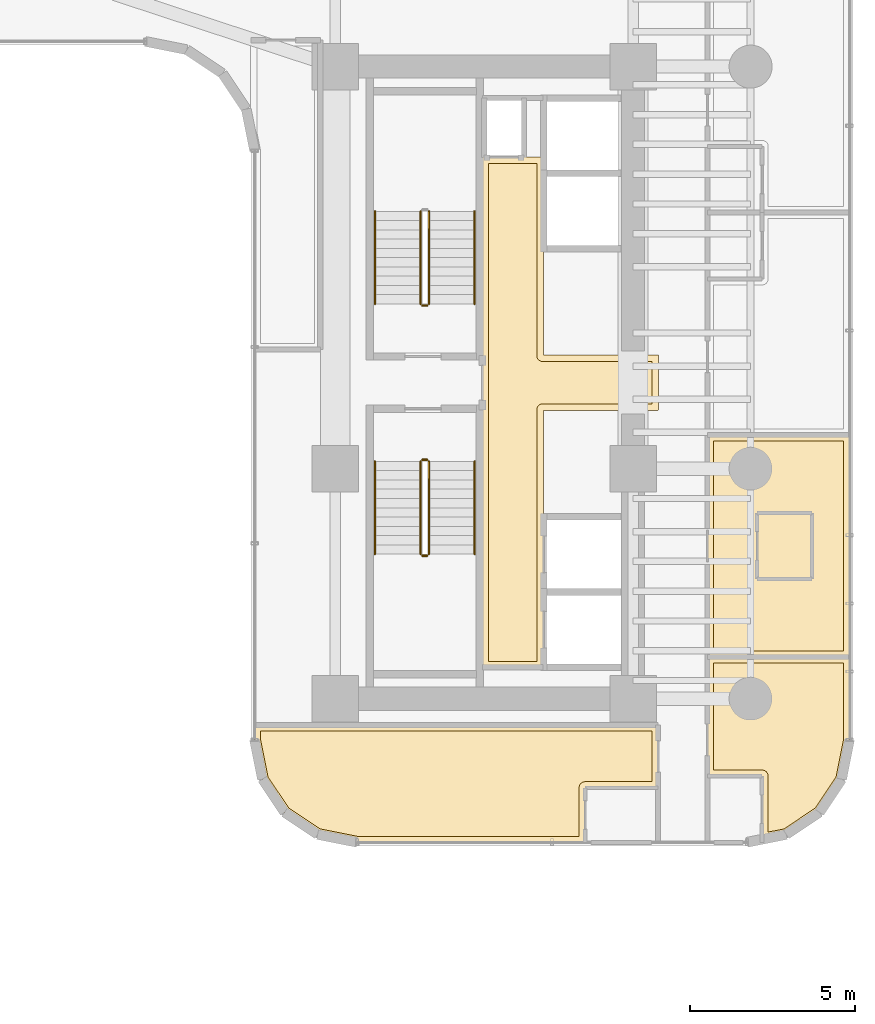
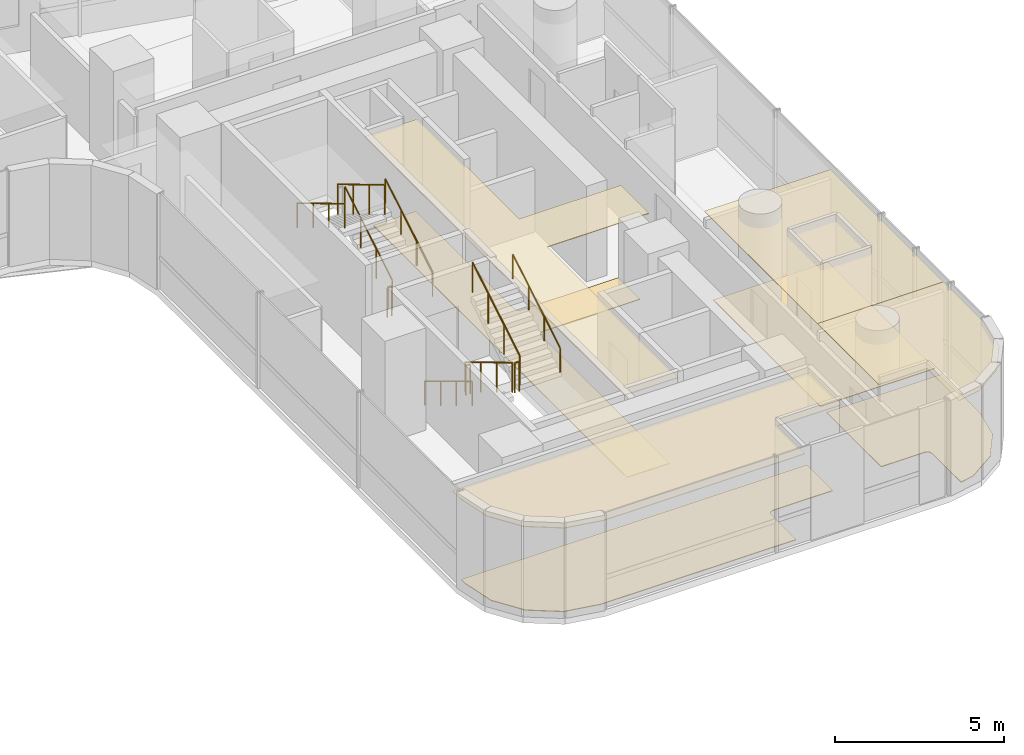
# One storey, part 39 of 41: 11 railings, 8 coverings.
"""IFC4 building model written with IfcOpenShell, lengths in metres."""

import ifcopenshell
import ifcopenshell.guid

model = None  # the IFC model being written
_history = None  # IfcOwnerHistory: only IFC2X3 demands one
_inside = {}  # id of a spatial element -> (the spatial element, [elements in it])
_under = {}  # id of a project, library or spatial element -> (it, [spatial elements below it])
_declared = {}  # id of a project -> (the project, [libraries it declares])
_typed = {}  # id of a type object -> (the type object, [elements of that type])
_made_of = {}  # id of a material, layer set ... -> (it, [elements and type objects made of it])


def new_model(schema):
    """Start an empty IFC model of exactly this schema.

    Asked for "IFC4X3", IfcOpenShell would pick the latest addendum, in which some entities
    have other attributes; the version numbers below select the first issue.
    IFC2X3 requires an IfcOwnerHistory on every rooted entity: one is made here for all.
    """
    global model, _history
    if schema == "IFC4X3":
        model = ifcopenshell.file(schema_version=(4, 3, 0, 0))
    else:
        model = ifcopenshell.file(schema=schema)
    _inside.clear()
    _under.clear()
    _declared.clear()
    _typed.clear()
    _made_of.clear()
    _history = None
    if model.schema == "IFC2X3":
        org = make("IfcOrganization", Name="unknown")
        user = make(
            "IfcPersonAndOrganization",
            ThePerson=make("IfcPerson", FamilyName="unknown"),
            TheOrganization=org,
        )
        app = make(
            "IfcApplication",
            ApplicationDeveloper=org,
            Version="unknown",
            ApplicationFullName="unknown",
            ApplicationIdentifier="unknown",
        )
        _history = make(
            "IfcOwnerHistory",
            OwningUser=user,
            OwningApplication=app,
            ChangeAction="ADDED",
            CreationDate=0,
        )
    return model


def make(cls, **values):
    """One entity of the class cls with the attributes given. An attribute that is None is left unset."""
    return model.create_entity(
        cls, **{name: value for name, value in values.items() if value is not None}
    )


def rooted(cls, **values):
    """An entity with a GlobalId (a new one), such as an element, a storey or a relation."""
    return make(cls, GlobalId=ifcopenshell.guid.new(), OwnerHistory=_history, **values)


def si_unit(unit_type, name, prefix=None):
    """IfcSIUnit, for example si_unit("LENGTHUNIT", "METRE", prefix="MILLI")."""
    return make("IfcSIUnit", UnitType=unit_type, Prefix=prefix, Name=name)


def assignment(units):
    """IfcUnitAssignment: the units of a project."""
    return None if units is None else make("IfcUnitAssignment", Units=units)


def point(xyz):
    """IfcCartesianPoint."""
    return None if xyz is None else make("IfcCartesianPoint", Coordinates=xyz)


def direction(xyz):
    """IfcDirection."""
    return None if xyz is None else make("IfcDirection", DirectionRatios=xyz)


def frame(location, z_axis=None, x_axis=None):
    """IfcAxis2Placement3D, a coordinate frame: its origin and axes. An axis left out is left unset."""
    return make(
        "IfcAxis2Placement3D",
        Location=point(location),
        Axis=direction(z_axis),
        RefDirection=direction(x_axis),
    )


def frame_2d(location, x_axis=None):
    """IfcAxis2Placement2D, a coordinate frame in the plane: its origin and x axis."""
    return make(
        "IfcAxis2Placement2D", Location=point(location), RefDirection=direction(x_axis)
    )


def origin():
    """The frame at (0, 0, 0) with its axes left unset."""
    return frame((0.0, 0.0, 0.0))


def origin_2d():
    """The frame at (0, 0) in the plane with its x axis left unset."""
    return frame_2d((0.0, 0.0))


def place(relative_to, where):
    """IfcLocalPlacement: puts the frame where relative to a parent placement (None: the world)."""
    return make(
        "IfcLocalPlacement", PlacementRelTo=relative_to, RelativePlacement=where
    )


def context(
    kind, dimensions, precision=None, world=None, true_north=None, identifier=None
):
    """IfcGeometricRepresentationContext, for example the 3D "Model" context."""
    return make(
        "IfcGeometricRepresentationContext",
        ContextIdentifier=identifier,
        ContextType=kind,
        CoordinateSpaceDimension=dimensions,
        Precision=precision,
        WorldCoordinateSystem=world,
        TrueNorth=true_north,
    )


def subcontext(parent, identifier, kind, view, scale=None):
    """IfcGeometricRepresentationSubContext, for example "Body" below "Model"."""
    return make(
        "IfcGeometricRepresentationSubContext",
        ContextIdentifier=identifier,
        ContextType=kind,
        ParentContext=parent,
        TargetScale=scale,
        TargetView=view,
    )


def project(units=None, contexts=None):
    """IfcProject with its units and contexts."""
    return rooted(
        "IfcProject",
        Name="project",
        RepresentationContexts=contexts,
        UnitsInContext=assignment(units),
    )


def spatial(cls, under=None, at=None, **own):
    """A site, building, storey or space (cls), placed at a placement, below another one or the project."""
    s = rooted(cls, ObjectPlacement=at, **own)
    if under is not None:
        _under.setdefault(under.id(), (under, []))[1].append(s)
    return s


def polyline(points):
    """IfcPolyline through the points."""
    return make("IfcPolyline", Points=[point(p) for p in points])


def profile(cls, at=None, kind="AREA", **sizes):
    """A parametric profile (cls). Its sizes go by their IFC names, for example OverallWidth=200.0."""
    return make(cls, ProfileType=kind, Position=at, **sizes)


def circle(**sizes):
    """IfcCircleProfileDef."""
    return profile("IfcCircleProfileDef", **sizes)


def outline(outer, holes=None, kind="AREA"):
    """IfcArbitraryClosedProfileDef: a profile drawn as a closed curve; with holes, ...WithVoids."""
    if holes is None:
        return make("IfcArbitraryClosedProfileDef", ProfileType=kind, OuterCurve=outer)
    return make(
        "IfcArbitraryProfileDefWithVoids",
        ProfileType=kind,
        OuterCurve=outer,
        InnerCurves=holes,
    )


def extrude(swept, where, along, depth):
    """IfcExtrudedAreaSolid: the profile swept, set in the frame where, extruded along a direction by depth."""
    return make(
        "IfcExtrudedAreaSolid",
        SweptArea=swept,
        Position=where,
        ExtrudedDirection=direction(along),
        Depth=depth,
    )


def shape(context_of_items, identifier, shape_type, items):
    """IfcShapeRepresentation: the items that make up one representation, for example the "Body"."""
    return make(
        "IfcShapeRepresentation",
        ContextOfItems=context_of_items,
        RepresentationIdentifier=identifier,
        RepresentationType=shape_type,
        Items=items,
    )


def material(Name=None, Category=None):
    """IfcMaterial."""
    return make("IfcMaterial", Name=Name, Category=Category)


def layer(
    of_material, thickness, ventilated=None, Name=None, Category=None, Priority=None
):
    """IfcMaterialLayer: one layer of a wall or slab, of a material (None: an air gap)."""
    return make(
        "IfcMaterialLayer",
        Material=of_material,
        LayerThickness=thickness,
        IsVentilated=ventilated,
        Name=Name,
        Category=Category,
        Priority=Priority,
    )


def layer_set(layers, Name=None):
    """IfcMaterialLayerSet."""
    return make("IfcMaterialLayerSet", MaterialLayers=layers, LayerSetName=Name)


def made_of(thing, what):
    """Note that an element or type object is made of a material, layer set ...; save() writes the relation."""
    if what is not None:
        _made_of.setdefault(what.id(), (what, []))[1].append(thing)
    return thing


def type_object(cls, material=None, **own):
    """A type object (cls), such as IfcWallType, which elements share."""
    return made_of(rooted(cls, **own), material)


def element(
    cls,
    number,
    at=None,
    inside=None,
    cuts=None,
    type_object=None,
    material=None,
    context=None,
    identifier="Body",
    shape_type=None,
    held_by="IfcProductDefinitionShape",
    body=None,
    shapes=None,
    **own,
):
    """One element of the class cls, such as IfcWall. Its Tag is "e" and its number.

    at: its placement. inside: the storey or other place that contains it. cuts: it is an
    opening in that element (IfcRelVoidsElement). A single representation is given by context,
    identifier, shape_type and body (its items); several are given by shapes. held_by: the class
    of the entity that holds the representations. save() writes the other relations.
    """
    e = rooted(cls, Tag="e%d" % number, ObjectPlacement=at, **own)
    if body is not None:
        shapes = [shape(context, identifier, shape_type, body)]
    if shapes is not None:
        e.Representation = make(held_by, Representations=shapes)
    if inside is not None:
        _inside.setdefault(inside.id(), (inside, []))[1].append(e)
    if cuts is not None:
        rooted(
            "IfcRelVoidsElement", RelatingBuildingElement=cuts, RelatedOpeningElement=e
        )
    if type_object is not None:
        _typed.setdefault(type_object.id(), (type_object, []))[1].append(e)
    return made_of(e, material)


def aggregate(whole, parts):
    """IfcRelAggregates: a whole, such as a stair, and the parts it consists of."""
    return rooted("IfcRelAggregates", RelatingObject=whole, RelatedObjects=parts)


def save(model, path):
    """Write the relations noted so far, then the file.

    IfcRelAggregates (storeys below a building ...), IfcRelContainedInSpatialStructure (elements
    in a storey), IfcRelDefinesByType, IfcRelAssociatesMaterial and IfcRelDeclares: one each for
    every whole, place, type object, material and project.
    """
    for whole, parts in _under.values():
        aggregate(whole, parts)
    for where, things in _inside.values():
        rooted(
            "IfcRelContainedInSpatialStructure",
            RelatedElements=things,
            RelatingStructure=where,
        )
    for kind, things in _typed.values():
        rooted("IfcRelDefinesByType", RelatedObjects=things, RelatingType=kind)
    for what, things in _made_of.values():
        rooted("IfcRelAssociatesMaterial", RelatedObjects=things, RelatingMaterial=what)
    for by, libraries in _declared.values():
        rooted("IfcRelDeclares", RelatingContext=by, RelatedDefinitions=libraries)
    model.write(path)


model = new_model("IFC4")

# Units and contexts
model_context = context("Model", 3, precision=1e-05, world=origin(), true_north=direction((0.0, 1.0)))
body_context = subcontext(model_context, "Body", "Model", "MODEL_VIEW")
ifc_project = project(units=[si_unit("LENGTHUNIT", "METRE"), si_unit("AREAUNIT", "SQUARE_METRE"), si_unit("VOLUMEUNIT", "CUBIC_METRE"), si_unit("PLANEANGLEUNIT", "RADIAN"), si_unit("MASSUNIT", "GRAM", prefix="KILO")], contexts=[model_context])

# Site, building, storey
site_placement = place(None, origin())
site = spatial("IfcSite", under=ifc_project, at=site_placement, CompositionType="ELEMENT")
building_placement = place(site_placement, origin())
building = spatial("IfcBuilding", under=site, at=building_placement, Name="Valdorenza Pilgrim Sanctuary Tower", CompositionType="ELEMENT")
storey_placement = place(building_placement, frame((0.0, 0.0, 63.0)))
storey = spatial("IfcBuildingStorey", under=building, at=storey_placement, Name="L15", CompositionType="ELEMENT", Elevation=63.0)

# Coverings
ifc_material_1 = material(Name="Micro-perforated acoustic mineral ceiling tile", Category="gypsum")
ifc_layer_1 = layer(ifc_material_1, 0.02490234375, Name="Micro-perforated acoustic mineral ceiling tile")
ifc_layer_set_1 = layer_set([ifc_layer_1], Name="Micro-perforated acoustic mineral ceiling tile")
covering_type_1 = type_object("IfcCoveringType", Name="COV-CLG-ACU", PredefinedType="CEILING", material=ifc_layer_set_1)
covering_1_placement = place(storey_placement, frame((0.0, 0.0, 3.159912109375)))
element("IfcCovering", 1, at=covering_1_placement, inside=storey, type_object=covering_type_1, Name="L15 Core B Passenger Lift Lobby Acoustic Ceiling", PredefinedType="CEILING", context=body_context, shape_type="SweptSolid", body=[
    extrude(outline(polyline([(20.287109375, -0.814697265625), (20.287109375, 0.814697265625), (20.28662109375, 0.815185546875), (20.2861328125, 0.81640625), (20.28564453125, 0.81787109375), (20.285400390625, 0.819091796875), (20.28515625, 0.820556640625), (20.284912109375, 0.822021484375), (20.284912109375, 6.800048828125), (20.28515625, 6.801513671875), (20.285400390625, 6.802978515625), (20.28564453125, 6.804443359375), (20.2861328125, 6.8056640625), (20.286865234375, 6.80712890625), (20.28759765625, 6.808349609375), (20.288330078125, 6.8095703125), (20.289306640625, 6.810546875), (20.29052734375, 6.8115234375), (20.291748046875, 6.8125), (20.29296875, 6.813232421875), (20.294189453125, 6.81396484375), (20.295654296875, 6.814453125), (20.297119140625, 6.814697265625), (20.298583984375, 6.81494140625), (20.300048828125, 6.81494140625), (20.347900390625, 6.81494140625), (20.349365234375, 6.81494140625), (20.350830078125, 6.814697265625), (20.352294921875, 6.814453125), (20.353515625, 6.81396484375), (20.35498046875, 6.813232421875), (20.35546875, 6.81298828125), (21.544677734375, 6.81298828125), (21.545166015625, 6.813232421875), (21.54638671875, 6.81396484375), (21.5478515625, 6.814453125), (21.54931640625, 6.814697265625), (21.550537109375, 6.81494140625), (21.552001953125, 6.81494140625), (22.1201171875, 6.81494140625), (22.12158203125, 6.81494140625), (22.122802734375, 6.814697265625), (22.12451171875, 6.814453125), (22.125732421875, 6.81396484375), (22.127197265625, 6.813232421875), (22.12841796875, 6.8125), (22.12939453125, 6.8115234375), (22.130615234375, 6.810546875), (22.131591796875, 6.8095703125), (22.132568359375, 6.808349609375), (22.13330078125, 6.80712890625), (22.1337890625, 6.8056640625), (22.134521484375, 6.804443359375), (22.134765625, 6.802978515625), (22.135009765625, 6.801513671875), (22.135009765625, 6.800048828125), (22.135009765625, 0.8349609375), (25.60009765625, 0.8349609375), (25.6015625, 0.8349609375), (25.602783203125, 0.834716796875), (25.6044921875, 0.83447265625), (25.605712890625, 0.833984375), (25.607177734375, 0.833251953125), (25.6083984375, 0.83251953125), (25.609619140625, 0.83154296875), (25.610595703125, 0.83056640625), (25.611572265625, 0.82958984375), (25.612548828125, 0.828369140625), (25.61328125, 0.8271484375), (25.614013671875, 0.82568359375), (25.614501953125, 0.824462890625), (25.61474609375, 0.822998046875), (25.614990234375, 0.821533203125), (25.614990234375, 0.820068359375), (25.614990234375, -0.820068359375), (25.614990234375, -0.821533203125), (25.61474609375, -0.822998046875), (25.614501953125, -0.824462890625), (25.614013671875, -0.82568359375), (25.61328125, -0.8271484375), (25.612548828125, -0.828369140625), (25.611572265625, -0.82958984375), (25.610595703125, -0.83056640625), (25.609619140625, -0.83154296875), (25.6083984375, -0.83251953125), (25.607177734375, -0.833251953125), (25.605712890625, -0.833984375), (25.6044921875, -0.83447265625), (25.602783203125, -0.834716796875), (25.6015625, -0.8349609375), (25.60009765625, -0.8349609375), (22.135009765625, -0.8349609375), (22.135009765625, -8.60009765625), (22.135009765625, -8.6015625), (22.134765625, -8.602783203125), (22.134521484375, -8.6044921875), (22.1337890625, -8.605712890625), (22.13330078125, -8.607177734375), (22.132568359375, -8.6083984375), (22.131591796875, -8.609619140625), (22.130615234375, -8.610595703125), (22.12939453125, -8.611572265625), (22.12841796875, -8.612548828125), (22.127197265625, -8.61328125), (22.125732421875, -8.614013671875), (22.12451171875, -8.614501953125), (22.122802734375, -8.61474609375), (22.12158203125, -8.614990234375), (22.1201171875, -8.614990234375), (20.300048828125, -8.614990234375), (20.298583984375, -8.614990234375), (20.297119140625, -8.61474609375), (20.295654296875, -8.614501953125), (20.294189453125, -8.614013671875), (20.29296875, -8.61328125), (20.291748046875, -8.612548828125), (20.29052734375, -8.611572265625), (20.289306640625, -8.610595703125), (20.288330078125, -8.609619140625), (20.28759765625, -8.6083984375), (20.286865234375, -8.607177734375), (20.2861328125, -8.605712890625), (20.28564453125, -8.6044921875), (20.285400390625, -8.602783203125), (20.28515625, -8.6015625), (20.284912109375, -8.60009765625), (20.284912109375, -0.822021484375), (20.28515625, -0.820556640625), (20.285400390625, -0.819091796875), (20.28564453125, -0.81787109375), (20.2861328125, -0.81640625), (20.28662109375, -0.815185546875), (20.287109375, -0.814697265625)])), origin(), (0.0, 0.0, 1.0), 0.025146484375),
])
covering_2_placement = place(storey_placement, frame((0.0, 0.0, 3.159912109375)))
element("IfcCovering", 2, at=covering_2_placement, inside=storey, type_object=covering_type_1, Name="L15 East South Guest Room L15-ES1 Acoustic Ceiling", PredefinedType="CEILING", context=body_context, shape_type="SweptSolid", body=[
    extrude(outline(polyline([(23.4130859375, -12.2529296875), (23.4130859375, -13.889892578125), (23.412841796875, -13.8916015625), (23.41259765625, -13.892822265625), (23.412353515625, -13.894287109375), (23.411865234375, -13.895751953125), (23.4111328125, -13.897216796875), (23.410400390625, -13.898193359375), (23.40966796875, -13.8994140625), (23.40869140625, -13.900634765625), (23.407470703125, -13.901611328125), (23.40625, -13.902587890625), (23.405029296875, -13.9033203125), (23.40380859375, -13.90380859375), (23.40234375, -13.904296875), (23.40087890625, -13.90478515625), (23.3994140625, -13.90478515625), (23.39794921875, -13.905029296875), (16.5107421875, -13.905029296875), (16.509521484375, -13.90478515625), (16.5078125, -13.90478515625), (15.3154296875, -13.66748046875), (15.31396484375, -13.6669921875), (15.3125, -13.66650390625), (15.311279296875, -13.666015625), (15.31005859375, -13.665283203125), (14.308349609375, -12.995849609375), (14.30712890625, -12.9951171875), (14.305908203125, -12.993896484375), (14.304931640625, -12.992919921875), (14.30419921875, -12.99169921875), (13.634765625, -11.989990234375), (13.634033203125, -11.98876953125), (13.63330078125, -11.9873046875), (13.6328125, -11.986083984375), (13.632568359375, -11.984619140625), (13.395263671875, -10.7919921875), (13.39501953125, -10.79052734375), (13.39501953125, -10.789306640625), (13.39501953125, -10.35009765625), (13.39501953125, -10.348388671875), (13.395263671875, -10.34716796875), (13.3955078125, -10.345703125), (13.39599609375, -10.34423828125), (13.396728515625, -10.343017578125), (13.3974609375, -10.341796875), (13.3984375, -10.340576171875), (13.3994140625, -10.33935546875), (13.400390625, -10.33837890625), (13.401611328125, -10.33740234375), (13.40283203125, -10.3369140625), (13.404296875, -10.336181640625), (13.405517578125, -10.335693359375), (13.406982421875, -10.335205078125), (13.408447265625, -10.335205078125), (13.409912109375, -10.3349609375), (25.60009765625, -10.3349609375), (25.6015625, -10.335205078125), (25.602783203125, -10.335205078125), (25.6044921875, -10.335693359375), (25.605712890625, -10.336181640625), (25.607177734375, -10.3369140625), (25.6083984375, -10.33740234375), (25.609619140625, -10.33837890625), (25.610595703125, -10.33935546875), (25.611572265625, -10.340576171875), (25.612548828125, -10.341796875), (25.61328125, -10.343017578125), (25.614013671875, -10.34423828125), (25.614501953125, -10.345703125), (25.61474609375, -10.34716796875), (25.614990234375, -10.348388671875), (25.614990234375, -10.35009765625), (25.614990234375, -12.238037109375), (25.614990234375, -12.239501953125), (25.61474609375, -12.240966796875), (25.614501953125, -12.242431640625), (25.614013671875, -12.24365234375), (25.61328125, -12.2451171875), (25.612548828125, -12.246337890625), (25.611572265625, -12.24755859375), (25.610595703125, -12.24853515625), (25.609619140625, -12.24951171875), (25.6083984375, -12.25048828125), (25.607177734375, -12.251220703125), (25.605712890625, -12.251953125), (25.6044921875, -12.25244140625), (25.602783203125, -12.252685546875), (25.6015625, -12.2529296875), (25.60009765625, -12.2529296875), (23.4130859375, -12.2529296875)])), origin(), (0.0, 0.0, 1.0), 0.025146484375),
])
covering_3_placement = place(storey_placement, frame((0.0, 0.0, 3.159912109375)))
element("IfcCovering", 3, at=covering_3_placement, inside=storey, type_object=covering_type_1, Name="L15 East Sanctuary Guest Room L15-EG1 Acoustic Ceiling", PredefinedType="CEILING", context=body_context, shape_type="SweptSolid", body=[
    extrude(outline(polyline([(28.737060546875, -11.903076171875), (27.10009765625, -11.903076171875), (27.098388671875, -11.90283203125), (27.09716796875, -11.902587890625), (27.095703125, -11.90234375), (27.09423828125, -11.90185546875), (27.093017578125, -11.901123046875), (27.091796875, -11.900390625), (27.090576171875, -11.899658203125), (27.08935546875, -11.898681640625), (27.08837890625, -11.8974609375), (27.08740234375, -11.896240234375), (27.0869140625, -11.89501953125), (27.086181640625, -11.893798828125), (27.085693359375, -11.892333984375), (27.085205078125, -11.890869140625), (27.085205078125, -11.889404296875), (27.0849609375, -11.887939453125), (27.0849609375, -8.287109375), (27.085205078125, -8.285400390625), (27.085205078125, -8.2841796875), (27.085693359375, -8.28271484375), (27.086181640625, -8.28125), (27.0869140625, -8.27978515625), (27.08740234375, -8.27880859375), (27.08837890625, -8.277587890625), (27.08935546875, -8.2763671875), (27.090576171875, -8.275390625), (27.091796875, -8.2744140625), (27.093017578125, -8.273681640625), (27.09423828125, -8.273193359375), (27.095703125, -8.272705078125), (27.09716796875, -8.272216796875), (27.098388671875, -8.272216796875), (27.10009765625, -8.27197265625), (31.389892578125, -8.27197265625), (31.3916015625, -8.272216796875), (31.392822265625, -8.272216796875), (31.394287109375, -8.272705078125), (31.395751953125, -8.273193359375), (31.397216796875, -8.273681640625), (31.398193359375, -8.2744140625), (31.3994140625, -8.275390625), (31.400634765625, -8.2763671875), (31.401611328125, -8.277587890625), (31.402587890625, -8.27880859375), (31.4033203125, -8.27978515625), (31.40380859375, -8.28125), (31.404296875, -8.28271484375), (31.40478515625, -8.2841796875), (31.40478515625, -8.285400390625), (31.405029296875, -8.287109375), (31.405029296875, -10.789306640625), (31.40478515625, -10.79052734375), (31.40478515625, -10.7919921875), (31.16748046875, -11.984619140625), (31.1669921875, -11.986083984375), (31.16650390625, -11.9873046875), (31.166015625, -11.98876953125), (31.165283203125, -11.989990234375), (30.495849609375, -12.99169921875), (30.4951171875, -12.992919921875), (30.493896484375, -12.993896484375), (30.492919921875, -12.9951171875), (30.49169921875, -12.995849609375), (29.489990234375, -13.665283203125), (29.48876953125, -13.666015625), (29.4873046875, -13.66650390625), (29.486083984375, -13.6669921875), (29.484619140625, -13.66748046875), (28.7548828125, -13.8125), (28.75341796875, -13.81298828125), (28.751953125, -13.81298828125), (28.75048828125, -13.81298828125), (28.7490234375, -13.8125), (28.74755859375, -13.812255859375), (28.746337890625, -13.811767578125), (28.744873046875, -13.811279296875), (28.74365234375, -13.810302734375), (28.742431640625, -13.8095703125), (28.741455078125, -13.80859375), (28.740478515625, -13.807373046875), (28.739501953125, -13.806396484375), (28.73876953125, -13.804931640625), (28.738037109375, -13.8037109375), (28.737548828125, -13.80224609375), (28.7373046875, -13.80078125), (28.737060546875, -13.79931640625), (28.737060546875, -13.7978515625), (28.737060546875, -11.903076171875)])), origin(), (0.0, 0.0, 1.0), 0.025146484375),
])
covering_4_placement = place(storey_placement, frame((0.0, 0.0, 3.159912109375)))
element("IfcCovering", 4, at=covering_4_placement, inside=storey, type_object=covering_type_1, Name="L15 East Sanctuary Guest Room L15-EG2 Acoustic Ceiling", PredefinedType="CEILING", context=body_context, shape_type="SweptSolid", body=[
    extrude(outline(polyline([(31.389892578125, -1.56005859375), (31.3916015625, -1.56005859375), (31.392822265625, -1.560302734375), (31.394287109375, -1.560546875), (31.395751953125, -1.56103515625), (31.397216796875, -1.561767578125), (31.398193359375, -1.5625), (31.3994140625, -1.5634765625), (31.400634765625, -1.564453125), (31.401611328125, -1.5654296875), (31.402587890625, -1.566650390625), (31.4033203125, -1.56787109375), (31.40380859375, -1.5693359375), (31.404296875, -1.570556640625), (31.40478515625, -1.572021484375), (31.40478515625, -1.573486328125), (31.405029296875, -1.574951171875), (31.405029296875, -8.284912109375), (31.40478515625, -8.28662109375), (31.40478515625, -8.287841796875), (31.404296875, -8.289306640625), (31.40380859375, -8.290771484375), (31.4033203125, -8.2919921875), (31.402587890625, -8.293212890625), (31.401611328125, -8.29443359375), (31.400634765625, -8.295654296875), (31.3994140625, -8.296630859375), (31.398193359375, -8.297607421875), (31.397216796875, -8.298095703125), (31.395751953125, -8.298828125), (31.394287109375, -8.29931640625), (31.392822265625, -8.2998046875), (31.3916015625, -8.2998046875), (31.389892578125, -8.300048828125), (27.10009765625, -8.300048828125), (27.098388671875, -8.2998046875), (27.09716796875, -8.2998046875), (27.095703125, -8.29931640625), (27.09423828125, -8.298828125), (27.093017578125, -8.298095703125), (27.091796875, -8.297607421875), (27.090576171875, -8.296630859375), (27.08935546875, -8.295654296875), (27.08837890625, -8.29443359375), (27.08740234375, -8.293212890625), (27.0869140625, -8.2919921875), (27.086181640625, -8.290771484375), (27.085693359375, -8.289306640625), (27.085205078125, -8.287841796875), (27.085205078125, -8.28662109375), (27.0849609375, -8.284912109375), (27.0849609375, -1.574951171875), (27.085205078125, -1.573486328125), (27.085205078125, -1.572021484375), (27.085693359375, -1.570556640625), (27.086181640625, -1.5693359375), (27.0869140625, -1.56787109375), (27.08740234375, -1.566650390625), (27.08837890625, -1.5654296875), (27.08935546875, -1.564453125), (27.090576171875, -1.5634765625), (27.091796875, -1.5625), (27.093017578125, -1.561767578125), (27.09423828125, -1.56103515625), (27.095703125, -1.560546875), (27.09716796875, -1.560302734375), (27.098388671875, -1.56005859375), (27.10009765625, -1.56005859375), (31.389892578125, -1.56005859375)])), origin(), (0.0, 0.0, 1.0), 0.025146484375),
])
ifc_material_2 = material(Name="Engineered European oak timber flooring", Category="wood")
ifc_layer_2 = layer(ifc_material_2, 0.02197265625, Name="Engineered European oak timber flooring")
ifc_layer_set_2 = layer_set([ifc_layer_2], Name="Engineered European oak timber flooring")
covering_type_2 = type_object("IfcCoveringType", Name="COV-FLR-OAK", PredefinedType="FLOORING", material=ifc_layer_set_2)
covering_5_placement = place(storey_placement, origin())
element("IfcCovering", 5, at=covering_5_placement, inside=storey, type_object=covering_type_2, Name="L15 East South Guest Room L15-ES1 Flooring", PredefinedType="FLOORING", context=body_context, shape_type="SweptSolid", body=[
    extrude(outline(polyline([(25.419921875, -10.530029296875), (25.419921875, -12.05810546875), (23.39990234375, -12.05810546875), (23.39111328125, -12.05810546875), (23.39111328125, -12.05810546875), (23.373291015625, -12.06005859375), (23.373291015625, -12.06005859375), (23.35595703125, -12.0634765625), (23.355712890625, -12.0634765625), (23.3388671875, -12.068603515625), (23.338623046875, -12.068603515625), (23.322265625, -12.075439453125), (23.322021484375, -12.075439453125), (23.306396484375, -12.083740234375), (23.306396484375, -12.083984375), (23.291748046875, -12.09375), (23.29150390625, -12.093994140625), (23.27783203125, -12.10498046875), (23.277587890625, -12.105224609375), (23.26513671875, -12.11767578125), (23.26513671875, -12.117919921875), (23.25390625, -12.131591796875), (23.25390625, -12.131591796875), (23.243896484375, -12.146484375), (23.243896484375, -12.146484375), (23.235595703125, -12.162109375), (23.2353515625, -12.162353515625), (23.228759765625, -12.1787109375), (23.228515625, -12.1787109375), (23.223388671875, -12.19580078125), (23.223388671875, -12.19580078125), (23.219970703125, -12.213134765625), (23.219970703125, -12.21337890625), (23.21826171875, -12.23095703125), (23.21826171875, -12.231201171875), (23.218017578125, -12.239990234375), (23.218017578125, -13.7099609375), (16.528564453125, -13.7099609375), (15.388671875, -13.483154296875), (14.4462890625, -12.853515625), (13.81689453125, -11.911376953125), (13.590087890625, -10.771484375), (13.590087890625, -10.530029296875), (25.419921875, -10.530029296875)])), origin(), (0.0, 0.0, 1.0), 0.02490234375),
])
covering_6_placement = place(storey_placement, origin())
element("IfcCovering", 6, at=covering_6_placement, inside=storey, type_object=covering_type_2, Name="L15 East Sanctuary Guest Room L15-EG1 Flooring", PredefinedType="FLOORING", context=body_context, shape_type="SweptSolid", body=[
    extrude(outline(polyline([(31.2099609375, -10.771484375), (30.983154296875, -11.911376953125), (30.353515625, -12.853515625), (29.411376953125, -13.483154296875), (28.931884765625, -13.57861328125), (28.931884765625, -11.889892578125), (28.931884765625, -11.881103515625), (28.931884765625, -11.881103515625), (28.929931640625, -11.86328125), (28.929931640625, -11.86328125), (28.926513671875, -11.845947265625), (28.926513671875, -11.845703125), (28.92138671875, -11.828857421875), (28.92138671875, -11.82861328125), (28.91455078125, -11.812255859375), (28.91455078125, -11.81201171875), (28.90625, -11.79638671875), (28.906005859375, -11.79638671875), (28.896240234375, -11.78173828125), (28.89599609375, -11.781494140625), (28.885009765625, -11.767822265625), (28.884765625, -11.767578125), (28.872314453125, -11.755126953125), (28.8720703125, -11.755126953125), (28.8583984375, -11.743896484375), (28.8583984375, -11.743896484375), (28.843505859375, -11.73388671875), (28.843505859375, -11.73388671875), (28.827880859375, -11.7255859375), (28.82763671875, -11.725341796875), (28.811279296875, -11.71875), (28.811279296875, -11.718505859375), (28.794189453125, -11.71337890625), (28.794189453125, -11.71337890625), (28.77685546875, -11.7099609375), (28.776611328125, -11.7099609375), (28.759033203125, -11.708251953125), (28.7587890625, -11.708251953125), (28.75, -11.7080078125), (27.280029296875, -11.7080078125), (27.280029296875, -8.467041015625), (31.2099609375, -8.467041015625), (31.2099609375, -10.771484375)])), origin(), (0.0, 0.0, 1.0), 0.02490234375),
])
covering_7_placement = place(storey_placement, origin())
element("IfcCovering", 7, at=covering_7_placement, inside=storey, type_object=covering_type_2, Name="L15 East Sanctuary Guest Room L15-EG2 Flooring", PredefinedType="FLOORING", context=body_context, shape_type="SweptSolid", body=[
    extrude(outline(polyline([(31.2099609375, -1.7548828125), (31.2099609375, -8.10498046875), (27.280029296875, -8.10498046875), (27.280029296875, -1.7548828125), (31.2099609375, -1.7548828125)])), origin(), (0.0, 0.0, 1.0), 0.02490234375),
])
ifc_material_3 = material(Name="Honed travertine stone flooring", Category="masonry")
ifc_layer_3 = layer(ifc_material_3, 0.030029296875, Name="Honed travertine stone flooring")
ifc_layer_set_3 = layer_set([ifc_layer_3], Name="Honed travertine stone flooring")
covering_type_3 = type_object("IfcCoveringType", Name="COV-FLR-TRV", PredefinedType="FLOORING", material=ifc_layer_set_3)
covering_8_placement = place(storey_placement, origin())
element("IfcCovering", 8, at=covering_8_placement, inside=storey, type_object=covering_type_3, Name="L15 Core B Passenger Lift Lobby Flooring", PredefinedType="FLOORING", context=body_context, shape_type="SweptSolid", body=[
    extrude(outline(polyline([(20.47998046875, 6.617919921875), (21.550048828125, 6.617919921875), (21.550537109375, 6.617919921875), (21.93994140625, 6.619384765625), (21.93994140625, 0.820068359375), (21.94091796875, 0.802490234375), (21.943603515625, 0.784912109375), (21.94775390625, 0.767578125), (21.95361328125, 0.751220703125), (21.961181640625, 0.735107421875), (21.97021484375, 0.719970703125), (21.98095703125, 0.705810546875), (21.99267578125, 0.692626953125), (22.005859375, 0.680908203125), (22.02001953125, 0.67041015625), (22.03515625, 0.661376953125), (22.051025390625, 0.65380859375), (22.067626953125, 0.647705078125), (22.0849609375, 0.6435546875), (22.102294921875, 0.640869140625), (22.1201171875, 0.639892578125), (25.419921875, 0.639892578125), (25.419921875, -0.639892578125), (22.1201171875, -0.639892578125), (22.102294921875, -0.640869140625), (22.0849609375, -0.6435546875), (22.067626953125, -0.647705078125), (22.051025390625, -0.65380859375), (22.03515625, -0.661376953125), (22.02001953125, -0.67041015625), (22.005859375, -0.680908203125), (21.99267578125, -0.692626953125), (21.98095703125, -0.705810546875), (21.97021484375, -0.719970703125), (21.961181640625, -0.735107421875), (21.95361328125, -0.751220703125), (21.94775390625, -0.767578125), (21.943603515625, -0.784912109375), (21.94091796875, -0.802490234375), (21.93994140625, -0.820068359375), (21.93994140625, -8.419921875), (20.47998046875, -8.419921875), (20.47998046875, -0.846923828125), (20.47998046875, -0.8466796875), (20.47998046875, -0.8466796875), (20.481689453125, -0.8291015625), (20.481689453125, -0.828857421875), (20.48193359375, -0.820068359375), (20.48193359375, 0.820068359375), (20.47998046875, 6.617919921875)])), origin(), (0.0, 0.0, 1.0), 0.02490234375),
])

# Railings
ifc_material_4 = material(Name="Stainless steel Grade 316", Category="steel")
railing_type_1 = type_object("IfcRailingType", Name="RLG-GRD-1120", PredefinedType="GUARDRAIL", material=ifc_material_4)
railing_1_placement = place(storey_placement, frame((18.679931640625, 2.3798828125, 0.168212890625)))
element("IfcRailing", 9, at=railing_1_placement, inside=storey, type_object=railing_type_1, Name="L15 ST-B1 stair guard 1", PredefinedType="GUARDRAIL", context=body_context, shape_type="SweptSolid", body=[
    extrude(circle(Radius=0.02392578125, at=origin_2d()), frame((0.0, 0.0, 1.076171875), z_axis=(0.0, 0.857242210791, 0.514913383045), x_axis=(-1.0, 0.0, 0.0)), (0.0, 0.0, 1.0), 3.266357421875),
    extrude(circle(Radius=0.02099609375, at=origin_2d()), origin(), (0.0, 0.0, 1.0), 1.052001953125),
    extrude(circle(Radius=0.02099609375, at=origin_2d()), frame((0.0, 0.933349609375, 0.560546875)), (0.0, 0.0, 1.0), 1.052001953125),
    extrude(circle(Radius=0.02099609375, at=origin_2d()), frame((0.0, 1.86669921875, 1.121337890625)), (0.0, 0.0, 1.0), 1.052001953125),
    extrude(circle(Radius=0.02099609375, at=origin_2d()), frame((0.0, 2.800048828125, 1.681884765625)), (0.0, 0.0, 1.0), 1.052001953125),
])
railing_2_placement = place(storey_placement, frame((18.429931640625, 5.179931640625, 2.01806640625)))
element("IfcRailing", 10, at=railing_2_placement, inside=storey, type_object=railing_type_1, Name="L15 ST-B1 stair guard 3", PredefinedType="GUARDRAIL", context=body_context, shape_type="SweptSolid", body=[
    extrude(circle(Radius=0.02392578125, at=origin_2d()), frame((0.0, 0.0, 1.076171875), z_axis=(0.0, -0.857242210791, 0.514913383045), x_axis=(1.0, 0.0, 0.0)), (0.0, 0.0, 1.0), 3.266357421875),
    extrude(circle(Radius=0.02099609375, at=origin_2d()), origin(), (0.0, 0.0, 1.0), 1.052001953125),
    extrude(circle(Radius=0.02099609375, at=origin_2d()), frame((0.0, -0.933349609375, 0.560546875)), (0.0, 0.0, 1.0), 1.052001953125),
    extrude(circle(Radius=0.02099609375, at=origin_2d()), frame((0.0, -1.86669921875, 1.121337890625)), (0.0, 0.0, 1.0), 1.052001953125),
    extrude(circle(Radius=0.02099609375, at=origin_2d()), frame((0.0, -2.800048828125, 1.681884765625)), (0.0, 0.0, 1.0), 1.052001953125),
])
railing_3_placement = place(storey_placement, frame((18.6298828125, 2.330078125, 0.0)))
element("IfcRailing", 11, at=railing_3_placement, inside=storey, type_object=railing_type_1, Name="L15 ST-B1 stair guard 4", PredefinedType="GUARDRAIL", context=body_context, shape_type="SweptSolid", body=[
    extrude(circle(Radius=0.02392578125, at=origin_2d()), frame((0.0, 0.0, 1.076171875), z_axis=(-1.0, 0.0, 0.0), x_axis=(0.0, -1.0, 0.0)), (0.0, 0.0, 1.0), 0.14990234375),
    extrude(circle(Radius=0.02099609375, at=origin_2d()), origin(), (0.0, 0.0, 1.0), 1.052001953125),
    extrude(circle(Radius=0.02099609375, at=origin_2d()), frame((-0.14990234375, 0.0, 0.0)), (0.0, 0.0, 1.0), 1.052001953125),
])
railing_4_placement = place(storey_placement, frame((18.429931640625, -2.3798828125, 0.168212890625)))
element("IfcRailing", 12, at=railing_4_placement, inside=storey, type_object=railing_type_1, Name="L15 ST-B2 stair guard 1", PredefinedType="GUARDRAIL", context=body_context, shape_type="SweptSolid", body=[
    extrude(circle(Radius=0.02392578125, at=origin_2d()), frame((0.0, 0.0, 1.076171875), z_axis=(0.0, -0.857242210791, 0.514913383045), x_axis=(1.0, 0.0, 0.0)), (0.0, 0.0, 1.0), 3.266357421875),
    extrude(circle(Radius=0.02099609375, at=origin_2d()), origin(), (0.0, 0.0, 1.0), 1.052001953125),
    extrude(circle(Radius=0.02099609375, at=origin_2d()), frame((0.0, -0.933349609375, 0.560546875)), (0.0, 0.0, 1.0), 1.052001953125),
    extrude(circle(Radius=0.02099609375, at=origin_2d()), frame((0.0, -1.86669921875, 1.121337890625)), (0.0, 0.0, 1.0), 1.052001953125),
    extrude(circle(Radius=0.02099609375, at=origin_2d()), frame((0.0, -2.800048828125, 1.681884765625)), (0.0, 0.0, 1.0), 1.052001953125),
])
railing_5_placement = place(storey_placement, frame((18.47998046875, -5.22998046875, 1.85009765625)))
element("IfcRailing", 13, at=railing_5_placement, inside=storey, type_object=railing_type_1, Name="L15 ST-B2 stair guard 2", PredefinedType="GUARDRAIL", context=body_context, shape_type="SweptSolid", body=[
    extrude(circle(Radius=0.02392578125, at=origin_2d()), frame((0.0, 0.0, 1.076171875), z_axis=(1.0, 0.0, 0.0), x_axis=(0.0, 1.0, 0.0)), (0.0, 0.0, 1.0), 0.14990234375),
    extrude(circle(Radius=0.02099609375, at=origin_2d()), origin(), (0.0, 0.0, 1.0), 1.052001953125),
    extrude(circle(Radius=0.02099609375, at=origin_2d()), frame((0.14990234375, 0.0, 0.0)), (0.0, 0.0, 1.0), 1.052001953125),
])
railing_6_placement = place(storey_placement, frame((18.679931640625, -5.179931640625, 2.01806640625)))
element("IfcRailing", 14, at=railing_6_placement, inside=storey, type_object=railing_type_1, Name="L15 ST-B2 stair guard 3", PredefinedType="GUARDRAIL", context=body_context, shape_type="SweptSolid", body=[
    extrude(circle(Radius=0.02392578125, at=origin_2d()), frame((0.0, 0.0, 1.076171875), z_axis=(0.0, 0.857242210791, 0.514913383045), x_axis=(-1.0, 0.0, 0.0)), (0.0, 0.0, 1.0), 3.266357421875),
    extrude(circle(Radius=0.02099609375, at=origin_2d()), origin(), (0.0, 0.0, 1.0), 1.052001953125),
    extrude(circle(Radius=0.02099609375, at=origin_2d()), frame((0.0, 0.933349609375, 0.560546875)), (0.0, 0.0, 1.0), 1.052001953125),
    extrude(circle(Radius=0.02099609375, at=origin_2d()), frame((0.0, 1.86669921875, 1.121337890625)), (0.0, 0.0, 1.0), 1.052001953125),
    extrude(circle(Radius=0.02099609375, at=origin_2d()), frame((0.0, 2.800048828125, 1.681884765625)), (0.0, 0.0, 1.0), 1.052001953125),
])
railing_7_placement = place(storey_placement, frame((18.47998046875, -2.330078125, 0.0)))
element("IfcRailing", 15, at=railing_7_placement, inside=storey, type_object=railing_type_1, Name="L15 ST-B2 stair guard 4", PredefinedType="GUARDRAIL", context=body_context, shape_type="SweptSolid", body=[
    extrude(circle(Radius=0.02392578125, at=origin_2d()), frame((0.0, 0.0, 1.076171875), z_axis=(1.0, 0.0, 0.0), x_axis=(0.0, 1.0, 0.0)), (0.0, 0.0, 1.0), 0.14990234375),
    extrude(circle(Radius=0.02099609375, at=origin_2d()), origin(), (0.0, 0.0, 1.0), 1.052001953125),
    extrude(circle(Radius=0.02099609375, at=origin_2d()), frame((0.14990234375, 0.0, 0.0)), (0.0, 0.0, 1.0), 1.052001953125),
])
ifc_material_5 = material(Name="Brushed stainless steel Grade 316", Category="steel")
railing_type_2 = type_object("IfcRailingType", Name="RLG-HND-920", PredefinedType="HANDRAIL", material=ifc_material_5)
railing_8_placement = place(storey_placement, frame((20.06005859375, 2.3798828125, 0.168212890625)))
element("IfcRailing", 16, at=railing_8_placement, inside=storey, type_object=railing_type_2, Name="L15 ST-B1 stair handrail 1", PredefinedType="HANDRAIL", context=body_context, shape_type="SweptSolid", body=[
    extrude(circle(Radius=0.02392578125, at=origin_2d()), frame((0.0, 0.0, 0.8759765625), z_axis=(0.0, 0.857242210791, 0.514913383045), x_axis=(-1.0, 0.0, 0.0)), (0.0, 0.0, 1.0), 3.266357421875),
    extrude(circle(Radius=0.02099609375, at=origin_2d()), origin(), (0.0, 0.0, 1.0), 0.851806640625),
    extrude(circle(Radius=0.02099609375, at=origin_2d()), frame((0.0, 0.933349609375, 0.560546875)), (0.0, 0.0, 1.0), 0.851806640625),
    extrude(circle(Radius=0.02099609375, at=origin_2d()), frame((0.0, 1.86669921875, 1.121337890625)), (0.0, 0.0, 1.0), 0.851806640625),
    extrude(circle(Radius=0.02099609375, at=origin_2d()), frame((0.0, 2.800048828125, 1.681884765625)), (0.0, 0.0, 1.0), 0.851806640625),
])
for number, where, name in (
    (17, (17.050048828125, 5.179931640625, 2.01806640625), "L15 ST-B1 stair handrail 2"),
    (18, (17.050048828125, -2.3798828125, 0.168212890625), "L15 ST-B2 stair handrail 1"),
):
    element("IfcRailing", number, at=place(storey_placement, frame(where)), inside=storey, type_object=railing_type_2, Name=name, PredefinedType="HANDRAIL", context=body_context, shape_type="SweptSolid", body=[
        extrude(circle(Radius=0.02392578125, at=origin_2d()), frame((0.0, 0.0, 0.8759765625), z_axis=(0.0, -0.857242210791, 0.514913383045), x_axis=(1.0, 0.0, 0.0)), (0.0, 0.0, 1.0), 3.266357421875),
        extrude(circle(Radius=0.02099609375, at=origin_2d()), origin(), (0.0, 0.0, 1.0), 0.851806640625),
        extrude(circle(Radius=0.02099609375, at=origin_2d()), frame((0.0, -0.933349609375, 0.560546875)), (0.0, 0.0, 1.0), 0.851806640625),
        extrude(circle(Radius=0.02099609375, at=origin_2d()), frame((0.0, -1.86669921875, 1.121337890625)), (0.0, 0.0, 1.0), 0.851806640625),
        extrude(circle(Radius=0.02099609375, at=origin_2d()), frame((0.0, -2.800048828125, 1.681884765625)), (0.0, 0.0, 1.0), 0.851806640625),
    ])
railing_9_placement = place(storey_placement, frame((20.06005859375, -5.179931640625, 2.01806640625)))
element("IfcRailing", 19, at=railing_9_placement, inside=storey, type_object=railing_type_2, Name="L15 ST-B2 stair handrail 2", PredefinedType="HANDRAIL", context=body_context, shape_type="SweptSolid", body=[
    extrude(circle(Radius=0.02392578125, at=origin_2d()), frame((0.0, 0.0, 0.8759765625), z_axis=(0.0, 0.857242210791, 0.514913383045), x_axis=(-1.0, 0.0, 0.0)), (0.0, 0.0, 1.0), 3.266357421875),
    extrude(circle(Radius=0.02099609375, at=origin_2d()), origin(), (0.0, 0.0, 1.0), 0.851806640625),
    extrude(circle(Radius=0.02099609375, at=origin_2d()), frame((0.0, 0.933349609375, 0.560546875)), (0.0, 0.0, 1.0), 0.851806640625),
    extrude(circle(Radius=0.02099609375, at=origin_2d()), frame((0.0, 1.86669921875, 1.121337890625)), (0.0, 0.0, 1.0), 0.851806640625),
    extrude(circle(Radius=0.02099609375, at=origin_2d()), frame((0.0, 2.800048828125, 1.681884765625)), (0.0, 0.0, 1.0), 0.851806640625),
])

save(model, "model.ifc")
